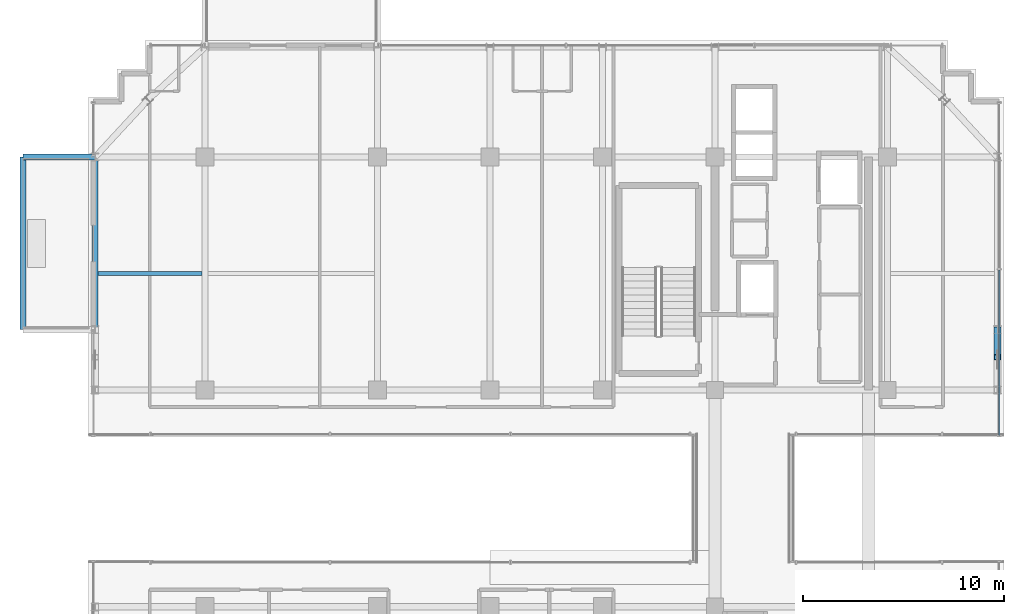
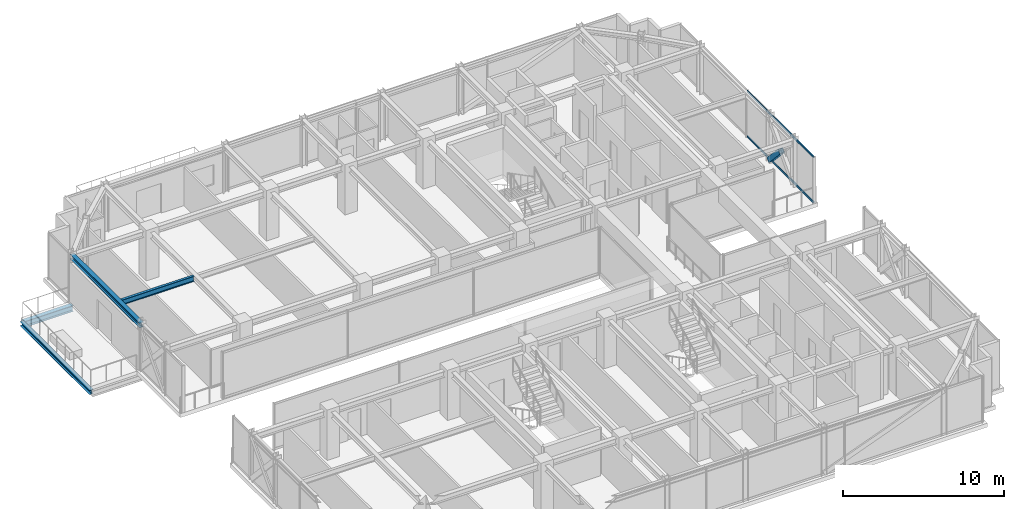
# One storey, part 23 of 40: 4 beams, 3 members, 1 element without a shape of its own.
"""IFC4 building model written with IfcOpenShell, lengths in metres."""

from ifc_helpers import new_model, si_unit, direction, frame, origin, origin_2d, place, context, subcontext, project, spatial, hollow_rectangle, i_section, extrude, source, transform, mapped, material, material_profile, profile_set, type_object, element, aggregate, save


model = new_model("IFC4")

# Units and contexts
model_context = context("Model", 3, precision=1e-05, world=origin(), true_north=direction((0.0, 1.0)))
body_context = subcontext(model_context, "Body", "Model", "MODEL_VIEW")
ifc_project = project(units=[si_unit("LENGTHUNIT", "METRE"), si_unit("AREAUNIT", "SQUARE_METRE"), si_unit("VOLUMEUNIT", "CUBIC_METRE"), si_unit("PLANEANGLEUNIT", "RADIAN"), si_unit("MASSUNIT", "GRAM", prefix="KILO")], contexts=[model_context])

# Site, building, storey
site_placement = place(None, origin())
site = spatial("IfcSite", under=ifc_project, at=site_placement, CompositionType="ELEMENT")
building_placement = place(site_placement, origin())
building = spatial("IfcBuilding", under=site, at=building_placement, Name="Nahalor Promenade Grand Hotel", CompositionType="ELEMENT")
storey_placement = place(building_placement, frame((0.0, 0.0, 288.800048828125)))
storey = spatial("IfcBuildingStorey", under=building, at=storey_placement, Name="L74", CompositionType="ELEMENT", Elevation=288.800048828125)

# Beams
ifc_material_1 = material(Name="Steel S355JR", Category="steel")
ifc_material_profile_1 = material_profile(ifc_material_1, i_section(OverallWidth=0.3, OverallDepth=0.32, WebThickness=0.0115, FlangeThickness=0.0205, at=origin_2d()), Name="HEB 320")
ifc_profile_set_1 = profile_set([ifc_material_profile_1], Name="Steel S355JR")
beam_type_1 = type_object("IfcBeamType", Name="Beam-BalcEdge-HEB320", PredefinedType="SPANDREL", material=ifc_profile_set_1)
shared_shape_1 = source(origin(), body_context, "Body", "SweptSolid", [
    extrude(i_section(OverallWidth=0.3, OverallDepth=0.32, WebThickness=0.0115, FlangeThickness=0.0205, at=origin_2d()), origin(), (0.0, 0.0, 1.0), 8.60009765625),
])
beam_1_placement = place(storey_placement, frame((-26.070068359375, 8.39990234375, -0.43994140625), z_axis=(0.0, 1.0, 0.0), x_axis=(-1.0, 0.0, 0.0)))
element("IfcBeam", 1, at=beam_1_placement, inside=storey, type_object=beam_type_1, Name="BM-L74-BC-02-F", PredefinedType="SPANDREL", context=body_context, shape_type="MappedRepresentation", body=[
    mapped(shared_shape_1, transform((0.0, 0.0, 0.0), scale=1.0)),
])
ifc_material_profile_2 = material_profile(ifc_material_1, i_section(OverallWidth=0.3, OverallDepth=0.45, WebThickness=0.014, FlangeThickness=0.026, at=origin_2d()), Name="HEB 450")
ifc_profile_set_2 = profile_set([ifc_material_profile_2], Name="Steel S355JR")
beam_type_2 = type_object("IfcBeamType", Name="Beam-Outrigger-HEB450", PredefinedType="BEAM", material=ifc_profile_set_2)
shared_shape_2 = source(origin(), body_context, "Body", "SweptSolid", [
    extrude(i_section(OverallWidth=0.3, OverallDepth=0.45, WebThickness=0.014, FlangeThickness=0.026, at=origin_2d()), origin(), (0.0, 0.0, 1.0), 3.590087890625),
])
beam_2_placement = place(storey_placement, frame((-26.070068359375, 17.0, -0.505126953125), z_axis=(1.0, 0.0, 0.0), x_axis=(0.0, 1.0, 0.0)))
element("IfcBeam", 2, at=beam_2_placement, inside=storey, type_object=beam_type_2, Name="BM-L74-BC-02-2", PredefinedType="BEAM", context=body_context, shape_type="MappedRepresentation", body=[
    mapped(shared_shape_2, transform((0.0, 0.0, 0.0), scale=1.0)),
])
ifc_material_profile_3 = material_profile(ifc_material_1, i_section(OverallWidth=0.18, OverallDepth=0.4, WebThickness=0.0086, FlangeThickness=0.0135, at=origin_2d()), Name="IPE 400")
ifc_profile_set_3 = profile_set([ifc_material_profile_3], Name="Steel S355JR")
beam_type_3 = type_object("IfcBeamType", Name="Beam-Joist-IPE400", PredefinedType="JOIST", material=ifc_profile_set_3)
shared_shape_3 = source(origin(), body_context, "Body", "SweptSolid", [
    extrude(i_section(OverallWidth=0.18, OverallDepth=0.4, WebThickness=0.0086, FlangeThickness=0.0135, at=origin_2d()), origin(), (0.0, 0.0, 1.0), 5.18017578125),
])
beam_3_placement = place(storey_placement, frame((-22.330078125, 11.199951171875, 3.349853515625), z_axis=(1.0, 0.0, 0.0), x_axis=(0.0, 1.0, 0.0)))
element("IfcBeam", 3, at=beam_3_placement, inside=storey, type_object=beam_type_3, Name="BM-L74-JSW-1-0", PredefinedType="JOIST", context=body_context, shape_type="MappedRepresentation", body=[
    mapped(shared_shape_3, transform((0.0, 0.0, 0.0), scale=1.0)),
])
ifc_material_profile_4 = material_profile(ifc_material_1, i_section(OverallWidth=0.3, OverallDepth=0.36, WebThickness=0.0125, FlangeThickness=0.0225, at=origin_2d()), Name="HEB 360")
ifc_profile_set_4 = profile_set([ifc_material_profile_4], Name="Steel S355JR")
beam_type_4 = type_object("IfcBeamType", Name="Beam-Spandrel-HEB360", PredefinedType="SPANDREL", material=ifc_profile_set_4)
shared_shape_4 = source(origin(), body_context, "Body", "SweptSolid", [
    extrude(i_section(OverallWidth=0.3, OverallDepth=0.36, WebThickness=0.0125, FlangeThickness=0.0225, at=origin_2d()), origin(), (0.0, 0.0, 1.0), 8.60009765625),
])
beam_4_placement = place(storey_placement, frame((-22.47998046875, 8.39990234375, 3.369873046875), z_axis=(0.0, 1.0, 0.0), x_axis=(-1.0, 0.0, 0.0)))
element("IfcBeam", 4, at=beam_4_placement, inside=storey, type_object=beam_type_4, Name="BM-L74-SP-W-4", PredefinedType="SPANDREL", context=body_context, shape_type="MappedRepresentation", body=[
    mapped(shared_shape_4, transform((0.0, 0.0, 0.0), scale=1.0)),
])

# Member
ifc_material_profile_5 = material_profile(ifc_material_1, hollow_rectangle(XDim=0.35, YDim=0.35, WallThickness=0.02, at=origin_2d()), Name="SHS 350x350x20")
ifc_profile_set_5 = profile_set([ifc_material_profile_5], Name="Steel S355JR")
member_type_1 = type_object("IfcMemberType", Name="Mem-VoidBrace-SHS350", PredefinedType="BRACE", material=ifc_profile_set_5)
shared_shape_5 = source(origin(), body_context, "Body", "SweptSolid", [
    extrude(hollow_rectangle(XDim=0.35, YDim=0.35, WallThickness=0.02, at=origin_2d()), origin(), (0.0, 0.0, 1.0), 2.02392578125),
])
member_1_placement = place(storey_placement, frame((22.47998046875, 8.39990234375, 0.14990234375), z_axis=(0.0, -0.678255053132, 0.734826566545), x_axis=(1.0, 0.0, 0.0)))
element("IfcMember", 5, at=member_1_placement, inside=storey, type_object=member_type_1, Name="EXO-L74-VX2-E1A", PredefinedType="BRACE", context=body_context, shape_type="MappedRepresentation", body=[
    mapped(shared_shape_5, transform((0.0, 0.0, 0.0), scale=1.0)),
])

# Curtain wall, members
ifc_material_2 = material(Name="Anodised Bronze Aluminium EN AW-6063 T6", Category="aluminium")
curtain_wall_type = type_object("IfcCurtainWallType", Name="CW3 Elliptical-Void Collar Unitised Curtain Wall", PredefinedType="USERDEFINED", material=ifc_material_2)
curtain_wall_placement = place(storey_placement, origin())
curtain_wall = element("IfcCurtainWall", 6, at=curtain_wall_placement, inside=storey, type_object=curtain_wall_type, Name="L74 Curtain Wall CW-L74-E-2", ObjectType="UNITISED_CURTAIN_WALL", PredefinedType="USERDEFINED")
ifc_material_profile_6 = material_profile(ifc_material_2, hollow_rectangle(XDim=0.07, YDim=0.14, WallThickness=0.004, at=origin_2d()), Name="CWT 70x140x4")
ifc_profile_set_6 = profile_set([ifc_material_profile_6], Name="Anodised Bronze Aluminium EN AW-6063 T6")
member_type_2 = type_object("IfcMemberType", Name="CWT3 Void Collar Transom 70x140", PredefinedType="USERDEFINED", material=ifc_profile_set_6)
shared_shape_6 = source(origin(), body_context, "Body", "SweptSolid", [
    extrude(hollow_rectangle(XDim=0.07, YDim=0.14, WallThickness=0.004, at=origin_2d()), origin(), (0.0, 0.0, 1.0), 8.239501953125),
])
member_2_placement = place(storey_placement, frame((22.56005859375, 3.14111328125, 0.070068359375), z_axis=(0.0, 1.0, 0.0), x_axis=(-1.0, 0.0, 0.0)))
member_2 = element("IfcMember", 7, at=member_2_placement, type_object=member_type_2, Name="CW-L74-E-2 Transom 0-0", ObjectType="TRANSOM", PredefinedType="USERDEFINED", context=body_context, shape_type="MappedRepresentation", body=[
    mapped(shared_shape_6, transform((0.0, 0.0, 0.0), scale=1.0)),
])
member_3_placement = place(storey_placement, frame((22.56005859375, 3.14111328125, 3.47998046875), z_axis=(0.0, 1.0, 0.0), x_axis=(-1.0, 0.0, 0.0)))
member_3 = element("IfcMember", 8, at=member_3_placement, type_object=member_type_2, Name="CW-L74-E-2 Transom 0-1", ObjectType="TRANSOM", PredefinedType="USERDEFINED", context=body_context, shape_type="MappedRepresentation", body=[
    mapped(shared_shape_6, transform((0.0, 0.0, 0.0), scale=1.0)),
])
aggregate(curtain_wall, [member_2, member_3])

save(model, "model.ifc")
